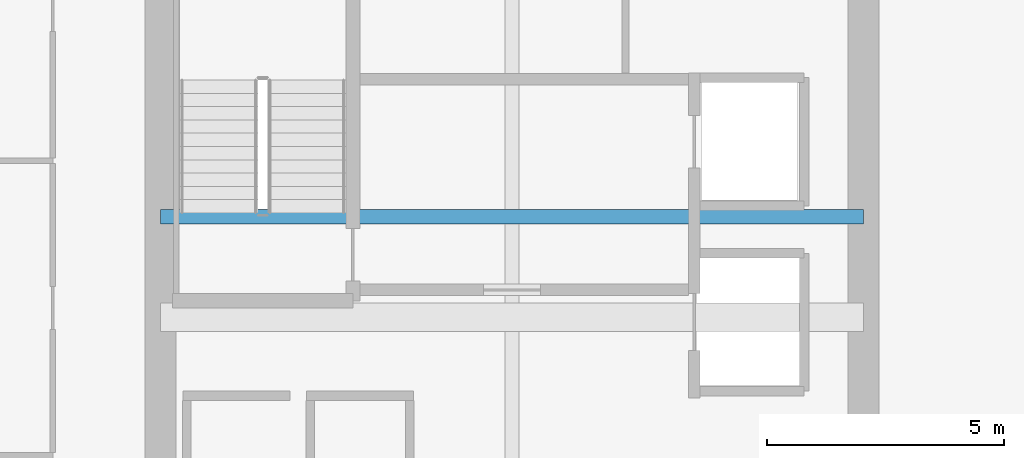
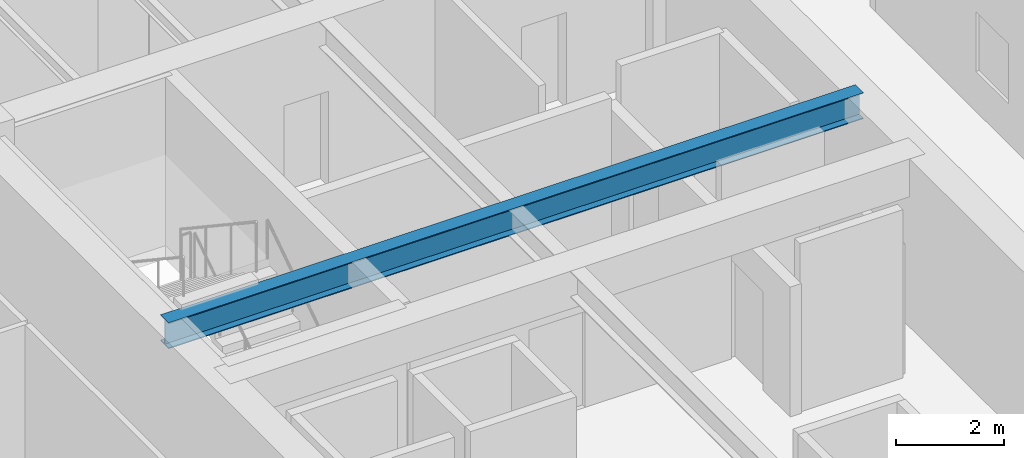
# One storey, part 9 of 30: 1 beam.
"""IFC4 building model written with IfcOpenShell, lengths in metres."""

from ifc_helpers import new_model, si_unit, direction, frame, origin, origin_2d, place, context, subcontext, project, spatial, i_section, extrude, source, transform, mapped, material, material_profile, profile_set, type_object, type_shapes, element, save


model = new_model("IFC4")

# Units and contexts
model_context = context("Model", 3, precision=1e-05, world=origin(), true_north=direction((0.0, 1.0)))
body_context = subcontext(model_context, "Body", "Model", "MODEL_VIEW")
ifc_project = project(units=[si_unit("LENGTHUNIT", "METRE"), si_unit("AREAUNIT", "SQUARE_METRE"), si_unit("VOLUMEUNIT", "CUBIC_METRE"), si_unit("PLANEANGLEUNIT", "RADIAN"), si_unit("MASSUNIT", "GRAM", prefix="KILO")], contexts=[model_context])

# Site, building, storey
site_placement = place(None, origin())
site = spatial("IfcSite", under=ifc_project, at=site_placement, CompositionType="ELEMENT")
building_placement = place(site_placement, origin())
building = spatial("IfcBuilding", under=site, at=building_placement, Name="Haelvirn Gate Laboratories", CompositionType="ELEMENT")
storey_placement = place(building_placement, frame((0.0, 0.0, 162.5)))
storey = spatial("IfcBuildingStorey", under=building, at=storey_placement, Name="L39", CompositionType="ELEMENT", Elevation=162.5)

# Beam
ifc_material = material(Name="Steel SM355", Category="steel")
ifc_material_profile = material_profile(ifc_material, i_section(OverallWidth=0.300048828125, OverallDepth=0.587890625, WebThickness=0.011962890625, FlangeThickness=0.02001953125, at=origin_2d()), Name="H-588x300x12x20")
ifc_profile_set = profile_set([ifc_material_profile], Name="Steel SM355")
beam_type = type_object("IfcBeamType", Name="BM-G-588", PredefinedType="BEAM", material=ifc_profile_set)
shared_shape = source(origin(), body_context, "Body", "SweptSolid", [
    extrude(i_section(OverallWidth=0.300048828125, OverallDepth=0.587890625, WebThickness=0.011962890625, FlangeThickness=0.02001953125, at=origin_2d()), origin(), (0.0, 0.0, 1.0), 14.800048828125),
])
type_shapes(beam_type, [shared_shape])
beam_placement = place(storey_placement, frame((7.39990234375, 26.6201171875, 3.49609375), z_axis=(1.0, 0.0, 0.0), x_axis=(0.0, 1.0, 0.0)))
element("IfcBeam", 1, at=beam_placement, inside=storey, type_object=beam_type, Name="L39 Stair ST1 Landing Header", PredefinedType="BEAM", context=body_context, shape_type="MappedRepresentation", body=[
    mapped(shared_shape, transform((0.0, 0.0, 0.0), scale=1.0)),
])

save(model, "model.ifc")
